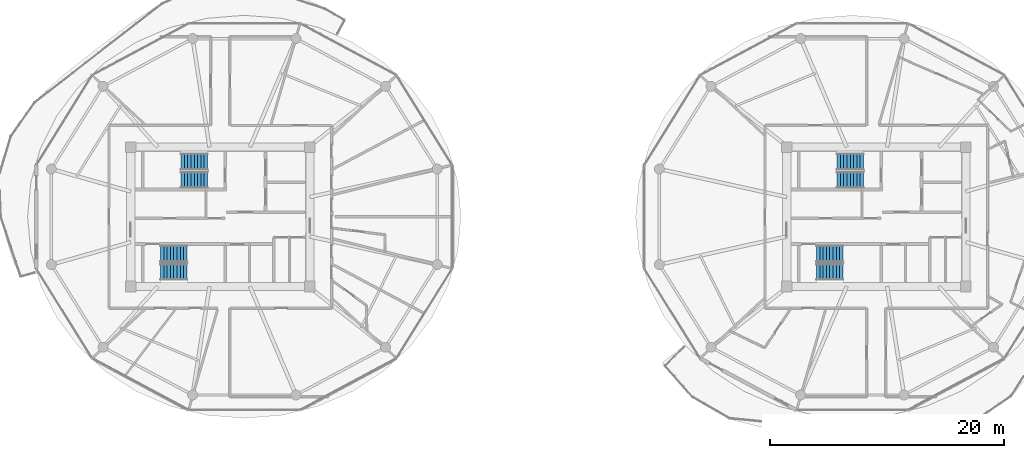
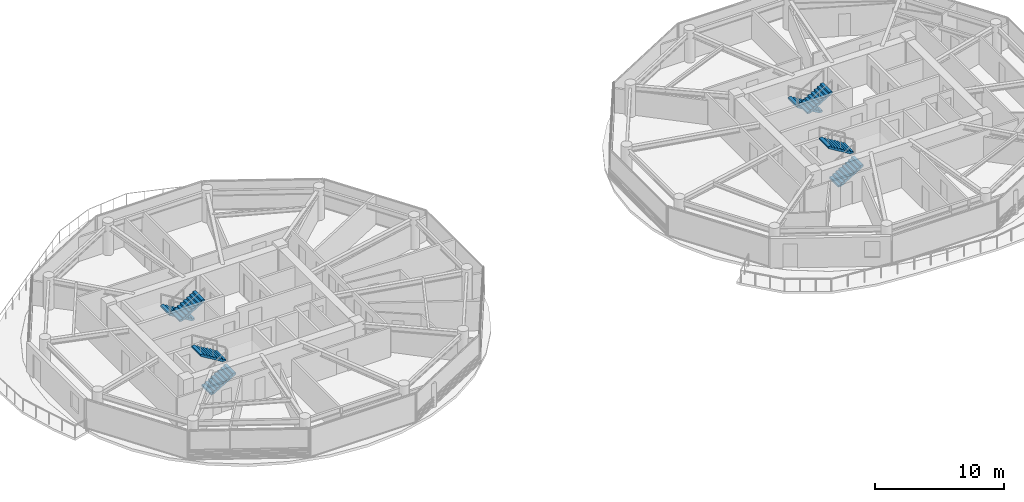
# One storey, part 18 of 24: 8 stair flights, 4 elements without a shape of their own.
"""IFC4 building model written with IfcOpenShell, lengths in metres."""

from ifc_helpers import new_model, si_unit, direction, frame, origin, place, context, subcontext, project, spatial, polyline, outline, extrude, material, type_object, element, aggregate, save


model = new_model("IFC4")

# Units and contexts
model_context = context("Model", 3, precision=1e-05, world=origin(), true_north=direction((0.0, 1.0)))
body_context = subcontext(model_context, "Body", "Model", "MODEL_VIEW")
ifc_project = project(units=[si_unit("LENGTHUNIT", "METRE"), si_unit("AREAUNIT", "SQUARE_METRE"), si_unit("VOLUMEUNIT", "CUBIC_METRE"), si_unit("PLANEANGLEUNIT", "RADIAN"), si_unit("MASSUNIT", "GRAM", prefix="KILO")], contexts=[model_context])

# Site, building, storey
site_placement = place(None, origin())
site = spatial("IfcSite", under=ifc_project, at=site_placement, CompositionType="ELEMENT")
building_placement = place(site_placement, origin())
building = spatial("IfcBuilding", under=site, at=building_placement, Name="Norrkilde Senior Care Towers", CompositionType="ELEMENT")
storey_placement = place(building_placement, frame((0.0, 0.0, 90.14990234375)))
storey = spatial("IfcBuildingStorey", under=building, at=storey_placement, Name="L27", CompositionType="ELEMENT", Elevation=90.14990234375)

# Stair, stair flights
ifc_material = material(Name="Concrete C45/55", Category="concrete")
stair_type = type_object("IfcStairType", Name="Core Protected Dogleg Stair Typical 3050", PredefinedType="HALF_TURN_STAIR", material=ifc_material)
stair_1_placement = place(storey_placement, origin())
stair_1 = element("IfcStair", 1, at=stair_1_placement, inside=storey, type_object=stair_type, Name="L27 Protected Core Stair W1", PredefinedType="HALF_TURN_STAIR")
stair_flight_type = type_object("IfcStairFlightType", Name="Core Protected Dogleg Stair Typical 3050 Flight", PredefinedType="STRAIGHT", material=ifc_material)
stair_flight_1_placement = place(storey_placement, frame((-29.10009765625, 4.699951171875, 0.0), z_axis=(0.0, 0.0, 1.0), x_axis=(-1.0, 0.0, 0.0)))
stair_flight_1 = element("IfcStairFlight", 2, at=stair_flight_1_placement, type_object=stair_flight_type, Name="ST-W1 flight 1", NumberOfRisers=9, NumberOfTreads=8, PredefinedType="STRAIGHT", RiserHeight=0.169444444, TreadLength=0.28, context=body_context, shape_type="SweptSolid", body=[
    extrude(outline(polyline([(0.0, 0.0), (0.0, 0.16943359375), (0.280029296875, 0.16943359375), (0.280029296875, 0.3388671875), (0.56005859375, 0.3388671875), (0.56005859375, 0.50830078125), (0.840087890625, 0.50830078125), (0.840087890625, 0.677734375), (1.1201171875, 0.677734375), (1.1201171875, 0.84716796875), (1.39990234375, 0.84716796875), (1.39990234375, 1.0166015625), (1.679931640625, 1.0166015625), (1.679931640625, 1.18603515625), (1.9599609375, 1.18603515625), (1.9599609375, 1.35546875), (2.239990234375, 1.35546875), (2.239990234375, 1.52490234375), (2.239990234375, 1.180419921875), (0.28955078125, 0.0), (0.0, 0.0)])), frame((0.0, 0.699951171875, 0.0), z_axis=(0.0, -1.0, 0.0), x_axis=(1.0, 0.0, 0.0)), (0.0, 0.0, 1.0), 1.39990234375),
])
stair_flight_2_placement = place(storey_placement, frame((-31.340087890625, 3.14990234375, 1.525146484375), z_axis=(0.0, 0.0, 1.0), x_axis=(1.0, 0.0, 0.0)))
stair_flight_2 = element("IfcStairFlight", 3, at=stair_flight_2_placement, type_object=stair_flight_type, Name="ST-W1 flight 2", NumberOfRisers=9, NumberOfTreads=8, PredefinedType="STRAIGHT", RiserHeight=0.169444444, TreadLength=0.28, context=body_context, shape_type="SweptSolid", body=[
    extrude(outline(polyline([(0.0, 0.0), (0.0, 0.16943359375), (0.280029296875, 0.16943359375), (0.280029296875, 0.3388671875), (0.56005859375, 0.3388671875), (0.56005859375, 0.50830078125), (0.840087890625, 0.50830078125), (0.840087890625, 0.677734375), (1.1201171875, 0.677734375), (1.1201171875, 0.84716796875), (1.39990234375, 0.84716796875), (1.39990234375, 1.0166015625), (1.679931640625, 1.0166015625), (1.679931640625, 1.18603515625), (1.9599609375, 1.18603515625), (1.9599609375, 1.35546875), (2.239990234375, 1.35546875), (2.239990234375, 1.52490234375), (2.239990234375, 1.180419921875), (0.28955078125, 0.0), (0.0, 0.0)])), frame((0.0, 0.699951171875, 0.0), z_axis=(0.0, -1.0, 0.0), x_axis=(1.0, 0.0, 0.0)), (0.0, 0.0, 1.0), 1.39990234375),
])
aggregate(stair_1, [stair_flight_1, stair_flight_2])

stair_2_placement = place(storey_placement, origin())
stair_2 = element("IfcStair", 4, at=stair_2_placement, inside=storey, type_object=stair_type, Name="L27 Protected Core Stair W2", PredefinedType="HALF_TURN_STAIR")
stair_flight_3_placement = place(storey_placement, frame((-33.10009765625, -4.699951171875, 0.0), z_axis=(0.0, 0.0, 1.0), x_axis=(1.0, 0.0, 0.0)))
stair_flight_3 = element("IfcStairFlight", 5, at=stair_flight_3_placement, type_object=stair_flight_type, Name="ST-W2 flight 1", NumberOfRisers=9, NumberOfTreads=8, PredefinedType="STRAIGHT", RiserHeight=0.169444444, TreadLength=0.28, context=body_context, shape_type="SweptSolid", body=[
    extrude(outline(polyline([(0.0, 0.0), (0.0, 0.16943359375), (0.280029296875, 0.16943359375), (0.280029296875, 0.3388671875), (0.56005859375, 0.3388671875), (0.56005859375, 0.50830078125), (0.840087890625, 0.50830078125), (0.840087890625, 0.677734375), (1.1201171875, 0.677734375), (1.1201171875, 0.84716796875), (1.39990234375, 0.84716796875), (1.39990234375, 1.0166015625), (1.679931640625, 1.0166015625), (1.679931640625, 1.18603515625), (1.9599609375, 1.18603515625), (1.9599609375, 1.35546875), (2.239990234375, 1.35546875), (2.239990234375, 1.52490234375), (2.239990234375, 1.180419921875), (0.28955078125, 0.0), (0.0, 0.0)])), frame((0.0, 0.699951171875, 0.0), z_axis=(0.0, -1.0, 0.0), x_axis=(1.0, 0.0, 0.0)), (0.0, 0.0, 1.0), 1.39990234375),
])
stair_flight_4_placement = place(storey_placement, frame((-30.860107421875, -3.14990234375, 1.525146484375), z_axis=(0.0, 0.0, 1.0), x_axis=(-1.0, 0.0, 0.0)))
stair_flight_4 = element("IfcStairFlight", 6, at=stair_flight_4_placement, type_object=stair_flight_type, Name="ST-W2 flight 2", NumberOfRisers=9, NumberOfTreads=8, PredefinedType="STRAIGHT", RiserHeight=0.169444444, TreadLength=0.28, context=body_context, shape_type="SweptSolid", body=[
    extrude(outline(polyline([(0.0, 0.0), (0.0, 0.16943359375), (0.280029296875, 0.16943359375), (0.280029296875, 0.3388671875), (0.56005859375, 0.3388671875), (0.56005859375, 0.50830078125), (0.840087890625, 0.50830078125), (0.840087890625, 0.677734375), (1.1201171875, 0.677734375), (1.1201171875, 0.84716796875), (1.39990234375, 0.84716796875), (1.39990234375, 1.0166015625), (1.679931640625, 1.0166015625), (1.679931640625, 1.18603515625), (1.9599609375, 1.18603515625), (1.9599609375, 1.35546875), (2.239990234375, 1.35546875), (2.239990234375, 1.52490234375), (2.239990234375, 1.180419921875), (0.28955078125, 0.0), (0.0, 0.0)])), frame((0.0, 0.699951171875, 0.0), z_axis=(0.0, -1.0, 0.0), x_axis=(1.0, 0.0, 0.0)), (0.0, 0.0, 1.0), 1.39990234375),
])
aggregate(stair_2, [stair_flight_3, stair_flight_4])

stair_3_placement = place(storey_placement, origin())
stair_3 = element("IfcStair", 7, at=stair_3_placement, inside=storey, type_object=stair_type, Name="L27 Protected Core Stair E1", PredefinedType="HALF_TURN_STAIR")
stair_flight_5_placement = place(storey_placement, frame((26.89990234375, 4.699951171875, 0.0), z_axis=(0.0, 0.0, 1.0), x_axis=(-1.0, 0.0, 0.0)))
stair_flight_5 = element("IfcStairFlight", 8, at=stair_flight_5_placement, type_object=stair_flight_type, Name="ST-E1 flight 1", NumberOfRisers=9, NumberOfTreads=8, PredefinedType="STRAIGHT", RiserHeight=0.169444444, TreadLength=0.28, context=body_context, shape_type="SweptSolid", body=[
    extrude(outline(polyline([(0.0, 0.0), (0.0, 0.16943359375), (0.280029296875, 0.16943359375), (0.280029296875, 0.3388671875), (0.56005859375, 0.3388671875), (0.56005859375, 0.50830078125), (0.840087890625, 0.50830078125), (0.840087890625, 0.677734375), (1.1201171875, 0.677734375), (1.1201171875, 0.84716796875), (1.39990234375, 0.84716796875), (1.39990234375, 1.0166015625), (1.679931640625, 1.0166015625), (1.679931640625, 1.18603515625), (1.9599609375, 1.18603515625), (1.9599609375, 1.35546875), (2.239990234375, 1.35546875), (2.239990234375, 1.52490234375), (2.239990234375, 1.180419921875), (0.28955078125, 0.0), (0.0, 0.0)])), frame((0.0, 0.699951171875, 0.0), z_axis=(0.0, -1.0, 0.0), x_axis=(1.0, 0.0, 0.0)), (0.0, 0.0, 1.0), 1.39990234375),
])
stair_flight_6_placement = place(storey_placement, frame((24.659912109375, 3.14990234375, 1.525146484375), z_axis=(0.0, 0.0, 1.0), x_axis=(1.0, 0.0, 0.0)))
stair_flight_6 = element("IfcStairFlight", 9, at=stair_flight_6_placement, type_object=stair_flight_type, Name="ST-E1 flight 2", NumberOfRisers=9, NumberOfTreads=8, PredefinedType="STRAIGHT", RiserHeight=0.169444444, TreadLength=0.28, context=body_context, shape_type="SweptSolid", body=[
    extrude(outline(polyline([(0.0, 0.0), (0.0, 0.16943359375), (0.280029296875, 0.16943359375), (0.280029296875, 0.3388671875), (0.56005859375, 0.3388671875), (0.56005859375, 0.50830078125), (0.840087890625, 0.50830078125), (0.840087890625, 0.677734375), (1.1201171875, 0.677734375), (1.1201171875, 0.84716796875), (1.39990234375, 0.84716796875), (1.39990234375, 1.0166015625), (1.679931640625, 1.0166015625), (1.679931640625, 1.18603515625), (1.9599609375, 1.18603515625), (1.9599609375, 1.35546875), (2.239990234375, 1.35546875), (2.239990234375, 1.52490234375), (2.239990234375, 1.180419921875), (0.28955078125, 0.0), (0.0, 0.0)])), frame((0.0, 0.699951171875, 0.0), z_axis=(0.0, -1.0, 0.0), x_axis=(1.0, 0.0, 0.0)), (0.0, 0.0, 1.0), 1.39990234375),
])
aggregate(stair_3, [stair_flight_5, stair_flight_6])

stair_4_placement = place(storey_placement, origin())
stair_4 = element("IfcStair", 10, at=stair_4_placement, inside=storey, type_object=stair_type, Name="L27 Protected Core Stair E2", PredefinedType="HALF_TURN_STAIR")
stair_flight_7_placement = place(storey_placement, frame((22.89990234375, -4.699951171875, 0.0), z_axis=(0.0, 0.0, 1.0), x_axis=(1.0, 0.0, 0.0)))
stair_flight_7 = element("IfcStairFlight", 11, at=stair_flight_7_placement, type_object=stair_flight_type, Name="ST-E2 flight 1", NumberOfRisers=9, NumberOfTreads=8, PredefinedType="STRAIGHT", RiserHeight=0.169444444, TreadLength=0.28, context=body_context, shape_type="SweptSolid", body=[
    extrude(outline(polyline([(0.0, 0.0), (0.0, 0.16943359375), (0.280029296875, 0.16943359375), (0.280029296875, 0.3388671875), (0.56005859375, 0.3388671875), (0.56005859375, 0.50830078125), (0.840087890625, 0.50830078125), (0.840087890625, 0.677734375), (1.1201171875, 0.677734375), (1.1201171875, 0.84716796875), (1.39990234375, 0.84716796875), (1.39990234375, 1.0166015625), (1.679931640625, 1.0166015625), (1.679931640625, 1.18603515625), (1.9599609375, 1.18603515625), (1.9599609375, 1.35546875), (2.239990234375, 1.35546875), (2.239990234375, 1.52490234375), (2.239990234375, 1.180419921875), (0.28955078125, 0.0), (0.0, 0.0)])), frame((0.0, 0.699951171875, 0.0), z_axis=(0.0, -1.0, 0.0), x_axis=(1.0, 0.0, 0.0)), (0.0, 0.0, 1.0), 1.39990234375),
])
stair_flight_8_placement = place(storey_placement, frame((25.139892578125, -3.14990234375, 1.525146484375), z_axis=(0.0, 0.0, 1.0), x_axis=(-1.0, 0.0, 0.0)))
stair_flight_8 = element("IfcStairFlight", 12, at=stair_flight_8_placement, type_object=stair_flight_type, Name="ST-E2 flight 2", NumberOfRisers=9, NumberOfTreads=8, PredefinedType="STRAIGHT", RiserHeight=0.169444444, TreadLength=0.28, context=body_context, shape_type="SweptSolid", body=[
    extrude(outline(polyline([(0.0, 0.0), (0.0, 0.16943359375), (0.280029296875, 0.16943359375), (0.280029296875, 0.3388671875), (0.56005859375, 0.3388671875), (0.56005859375, 0.50830078125), (0.840087890625, 0.50830078125), (0.840087890625, 0.677734375), (1.1201171875, 0.677734375), (1.1201171875, 0.84716796875), (1.39990234375, 0.84716796875), (1.39990234375, 1.0166015625), (1.679931640625, 1.0166015625), (1.679931640625, 1.18603515625), (1.9599609375, 1.18603515625), (1.9599609375, 1.35546875), (2.239990234375, 1.35546875), (2.239990234375, 1.52490234375), (2.239990234375, 1.180419921875), (0.28955078125, 0.0), (0.0, 0.0)])), frame((0.0, 0.699951171875, 0.0), z_axis=(0.0, -1.0, 0.0), x_axis=(1.0, 0.0, 0.0)), (0.0, 0.0, 1.0), 1.39990234375),
])
aggregate(stair_4, [stair_flight_7, stair_flight_8])

save(model, "model.ifc")
